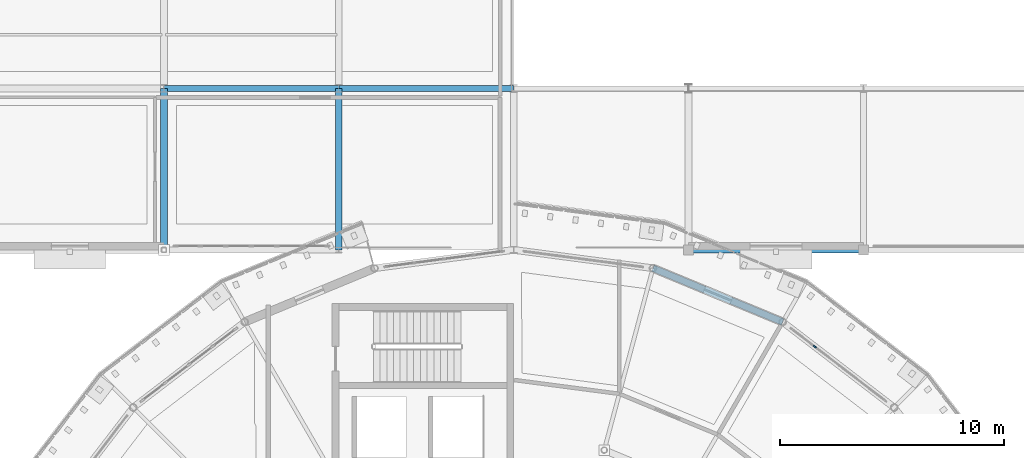
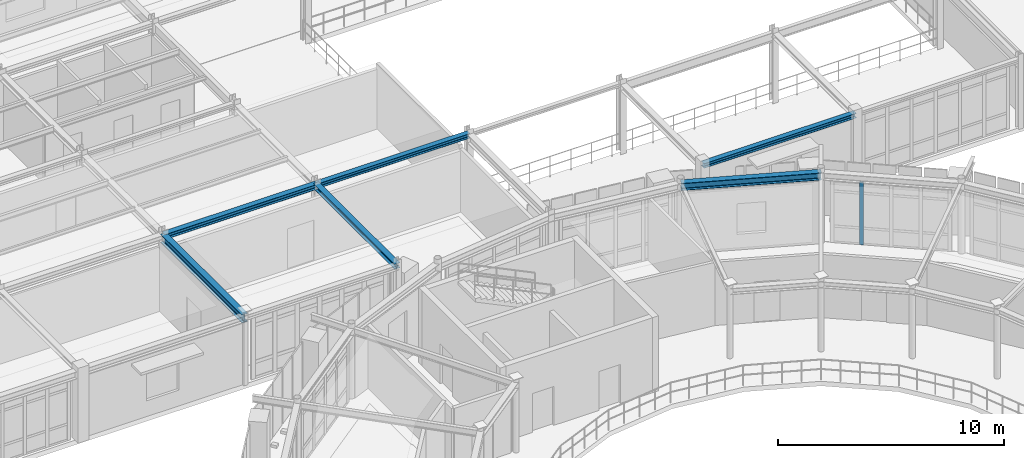
# One storey, part 35 of 70: 6 beams, 1 member, 1 element without a shape of its own.
"""IFC4 building model written with IfcOpenShell, lengths in metres."""

from ifc_helpers import new_model, si_unit, derived_unit, direction, frame, origin, origin_2d, place, context, subcontext, project, spatial, rectangle, i_section, extrude, material, layer, layer_set, material_profile, profile_set, type_object, element, aggregate, save


model = new_model("IFC4")

# Units and contexts
model_context = context("Model", 3, precision=1e-05, world=origin(), true_north=direction((0.0, 1.0)))
body_context = subcontext(model_context, "Body", "Model", "MODEL_VIEW")
ifc_project = project(units=[si_unit("LENGTHUNIT", "METRE"), si_unit("AREAUNIT", "SQUARE_METRE"), si_unit("VOLUMEUNIT", "CUBIC_METRE"), si_unit("PLANEANGLEUNIT", "RADIAN"), si_unit("MASSUNIT", "GRAM", prefix="KILO"), derived_unit("THERMALTRANSMITTANCEUNIT", [(si_unit("POWERUNIT", "WATT"), 1), (si_unit("AREAUNIT", "SQUARE_METRE"), -1), (si_unit("THERMODYNAMICTEMPERATUREUNIT", "KELVIN"), -1)])], contexts=[model_context])

# Site, building, storey
site_placement = place(None, origin())
site = spatial("IfcSite", under=ifc_project, at=site_placement, CompositionType="ELEMENT")
building_placement = place(site_placement, origin())
building = spatial("IfcBuilding", under=site, at=building_placement, Name="Yasenodar Specialist Clinic", CompositionType="ELEMENT")
storey_placement = place(building_placement, frame((0.0, 0.0, 13.199951171875)))
storey = spatial("IfcBuildingStorey", under=building, at=storey_placement, Name="L03", CompositionType="ELEMENT", Elevation=13.199951171875)

# Beams
ifc_material_1 = material(Name="Steel S355", Category="steel")
ifc_material_profile_1 = material_profile(ifc_material_1, i_section(OverallWidth=0.260009765625, OverallDepth=0.25, WebThickness=0.007568359375, FlangeThickness=0.012451171875, FilletRadius=0.02392578125, at=origin_2d()), Name="HEA 260")
ifc_profile_set_1 = profile_set([ifc_material_profile_1], Name="Steel S355")
beam_type_1 = type_object("IfcBeamType", Name="BM-HEA260", PredefinedType="BEAM", material=ifc_profile_set_1)
for number, where, z_axis, x_axis, name in (
    (1, (88.800048828125, 82.800048828125, 3.6650390625), (1.0, 0.0, 0.0), (0.0, 1.0, 0.0), "L03 Primary E-W Girder"),
    (2, (73.199951171875, 90.0, 3.6650390625), (1.0, 0.0, 0.0), (0.0, 1.0, 0.0), "L03 Primary E-W Girder"),
):
    element("IfcBeam", number, at=place(storey_placement, frame(where, z_axis=z_axis, x_axis=x_axis)), inside=storey, type_object=beam_type_1, Name=name, PredefinedType="BEAM", context=body_context, shape_type="SweptSolid", body=[
        extrude(i_section(OverallWidth=0.260009765625, OverallDepth=0.25, WebThickness=0.007568359375, FlangeThickness=0.012451171875, FilletRadius=0.02392578125, at=origin_2d()), origin(), (0.0, 0.0, 1.0), 7.800048828125),
    ])
ifc_material_profile_2 = material_profile(ifc_material_1, i_section(OverallWidth=0.280029296875, OverallDepth=0.27001953125, WebThickness=0.008056640625, FlangeThickness=0.012939453125, FilletRadius=0.02392578125, at=origin_2d()), Name="HEA 280")
ifc_profile_set_2 = profile_set([ifc_material_profile_2], Name="Steel S355")
beam_type_2 = type_object("IfcBeamType", Name="BM-HEA280", PredefinedType="BEAM", material=ifc_profile_set_2)
beam_1_placement = place(storey_placement, frame((65.39990234375, 90.0, 3.655029296875), z_axis=(1.0, 0.0, 0.0), x_axis=(0.0, 1.0, 0.0)))
element("IfcBeam", 3, at=beam_1_placement, inside=storey, type_object=beam_type_2, Name="L03 Primary E-W Girder", PredefinedType="BEAM", context=body_context, shape_type="SweptSolid", body=[
    extrude(i_section(OverallWidth=0.280029296875, OverallDepth=0.27001953125, WebThickness=0.008056640625, FlangeThickness=0.012939453125, FilletRadius=0.02392578125, at=origin_2d()), origin(), (0.0, 0.0, 1.0), 7.800048828125),
])
ifc_material_profile_3 = material_profile(ifc_material_1, i_section(OverallWidth=0.300048828125, OverallDepth=0.389892578125, WebThickness=0.010986328125, FlangeThickness=0.01904296875, FilletRadius=0.027099609375, at=origin_2d()), Name="HEA 400")
ifc_profile_set_3 = profile_set([ifc_material_profile_3], Name="Steel S355")
beam_type_3 = type_object("IfcBeamType", Name="BM-HEA400", PredefinedType="BEAM", material=ifc_profile_set_3)
beam_2_placement = place(storey_placement, frame((93.0, 79.584716796875, 3.60498046875), z_axis=(-0.9238876519, 0.382663829839, 0.0), x_axis=(-0.382663829839, -0.9238876519, 0.0)))
element("IfcBeam", 4, at=beam_2_placement, inside=storey, type_object=beam_type_3, Name="L03 Drum V1 Perimeter Ring Beam", PredefinedType="BEAM", context=body_context, shape_type="SweptSolid", body=[
    extrude(i_section(OverallWidth=0.300048828125, OverallDepth=0.389892578125, WebThickness=0.010986328125, FlangeThickness=0.01904296875, FilletRadius=0.027099609375, at=origin_2d()), origin(), (0.0, 0.0, 1.0), 6.26513671875),
])
ifc_material_profile_4 = material_profile(ifc_material_1, i_section(OverallWidth=0.280029296875, OverallDepth=0.280029296875, WebThickness=0.010498046875, FlangeThickness=0.01806640625, FilletRadius=0.02392578125, at=origin_2d()), Name="HEB 280")
ifc_profile_set_4 = profile_set([ifc_material_profile_4], Name="Steel S355")
beam_type_4 = type_object("IfcBeamType", Name="BM-HEB280", PredefinedType="BEAM", material=ifc_profile_set_4)
beam_3_placement = place(storey_placement, frame((73.199951171875, 82.800048828125, 3.650146484375), z_axis=(0.0, 1.0, 0.0), x_axis=(-1.0, 0.0, 0.0)))
element("IfcBeam", 5, at=beam_3_placement, inside=storey, type_object=beam_type_4, Name="L03 Primary N-S Girder", PredefinedType="BEAM", context=body_context, shape_type="SweptSolid", body=[
    extrude(i_section(OverallWidth=0.280029296875, OverallDepth=0.280029296875, WebThickness=0.010498046875, FlangeThickness=0.01806640625, FilletRadius=0.02392578125, at=origin_2d()), origin(), (0.0, 0.0, 1.0), 7.199951171875),
])
ifc_material_profile_5 = material_profile(ifc_material_1, i_section(OverallWidth=0.300048828125, OverallDepth=0.449951171875, WebThickness=0.013916015625, FlangeThickness=0.02587890625, FilletRadius=0.027099609375, at=origin_2d()), Name="HEB 450")
ifc_profile_set_5 = profile_set([ifc_material_profile_5], Name="Steel S355")
beam_type_5 = type_object("IfcBeamType", Name="BM-HEB450", PredefinedType="BEAM", material=ifc_profile_set_5)
beam_4_placement = place(storey_placement, frame((65.39990234375, 82.800048828125, 3.56494140625), z_axis=(0.0, 1.0, 0.0), x_axis=(-1.0, 0.0, 0.0)))
element("IfcBeam", 6, at=beam_4_placement, inside=storey, type_object=beam_type_5, Name="L03 Primary N-S Girder", PredefinedType="BEAM", context=body_context, shape_type="SweptSolid", body=[
    extrude(i_section(OverallWidth=0.300048828125, OverallDepth=0.449951171875, WebThickness=0.013916015625, FlangeThickness=0.02587890625, FilletRadius=0.027099609375, at=origin_2d()), origin(), (0.0, 0.0, 1.0), 7.199951171875),
])

# Curtain wall, member
ifc_material_2 = material(Name="Bronze Anodized Aluminium and Triple Low-E Glass", Category="aluminium")
ifc_layer = layer(ifc_material_2, 0.1669921875)
ifc_layer_set = layer_set([ifc_layer], Name="Bronze Anodized Aluminium and Triple Low-E Glass")
curtain_wall_type = type_object("IfcCurtainWallType", Name="CW-SYS-01", PredefinedType="USERDEFINED", material=ifc_layer_set)
curtain_wall_placement = place(storey_placement, origin())
curtain_wall = element("IfcCurtainWall", 7, at=curtain_wall_placement, inside=storey, type_object=curtain_wall_type, Name="L03 Unitised Curtain Wall 042", ObjectType="UNITISED CURTAIN WALL", PredefinedType="USERDEFINED")
ifc_material_3 = material(Name="Bronze Anodized Aluminium", Category="aluminium")
ifc_material_profile_6 = material_profile(ifc_material_3, rectangle(XDim=0.06005859375, YDim=0.159912109375, at=origin_2d()), Name="CW-MULL 60x160")
ifc_profile_set_6 = profile_set([ifc_material_profile_6], Name="Bronze Anodized Aluminium")
member_type = type_object("IfcMemberType", Name="CW-MULL-160", PredefinedType="MULLION", material=ifc_profile_set_6)
member_placement = place(storey_placement, frame((94.43310546875, 78.485107421875, 0.0), z_axis=(0.0, 0.0, 1.0), x_axis=(0.608752021844, 0.793360558574, 0.0)))
member = element("IfcMember", 8, at=member_placement, type_object=member_type, Name="CW-01 mullion 2", PredefinedType="MULLION", context=body_context, shape_type="SweptSolid", body=[
    extrude(rectangle(XDim=0.06005859375, YDim=0.159912109375, at=origin_2d()), origin(), (0.0, 0.0, 1.0), 3.387939453125),
])
aggregate(curtain_wall, [member])

save(model, "model.ifc")
